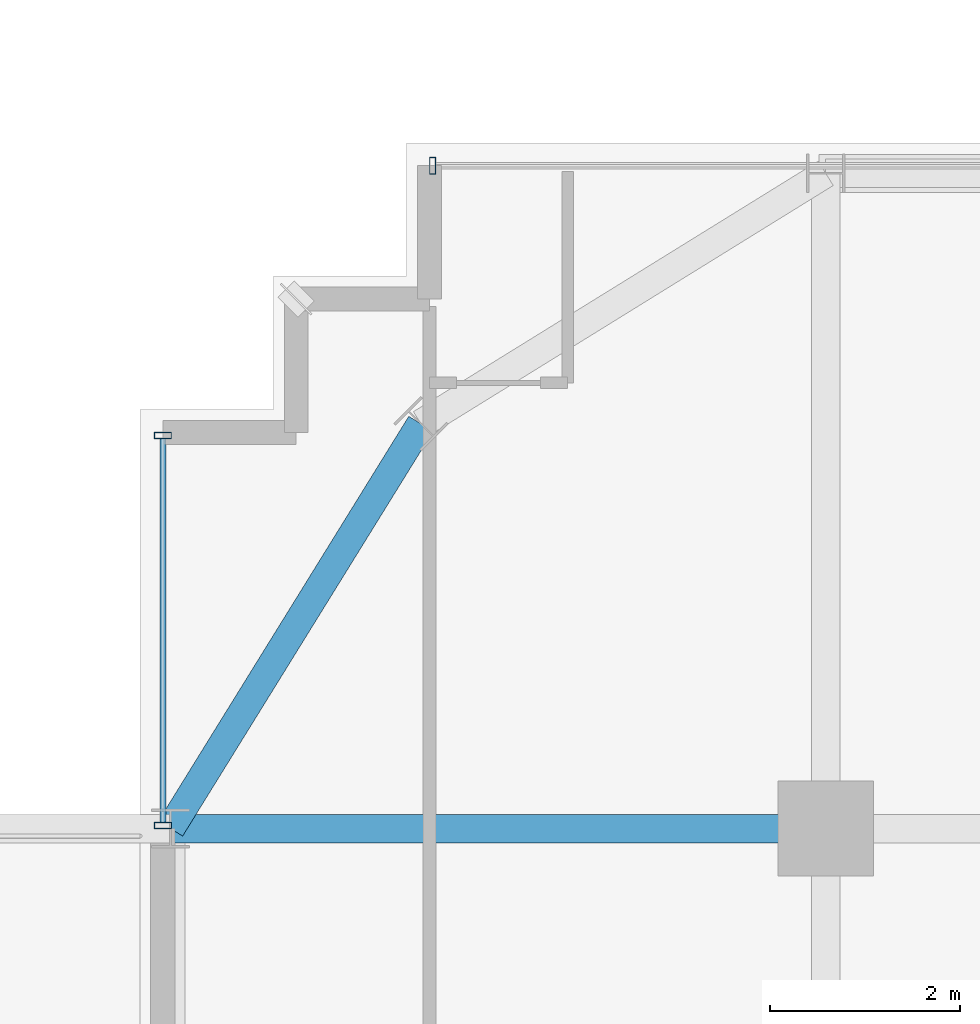
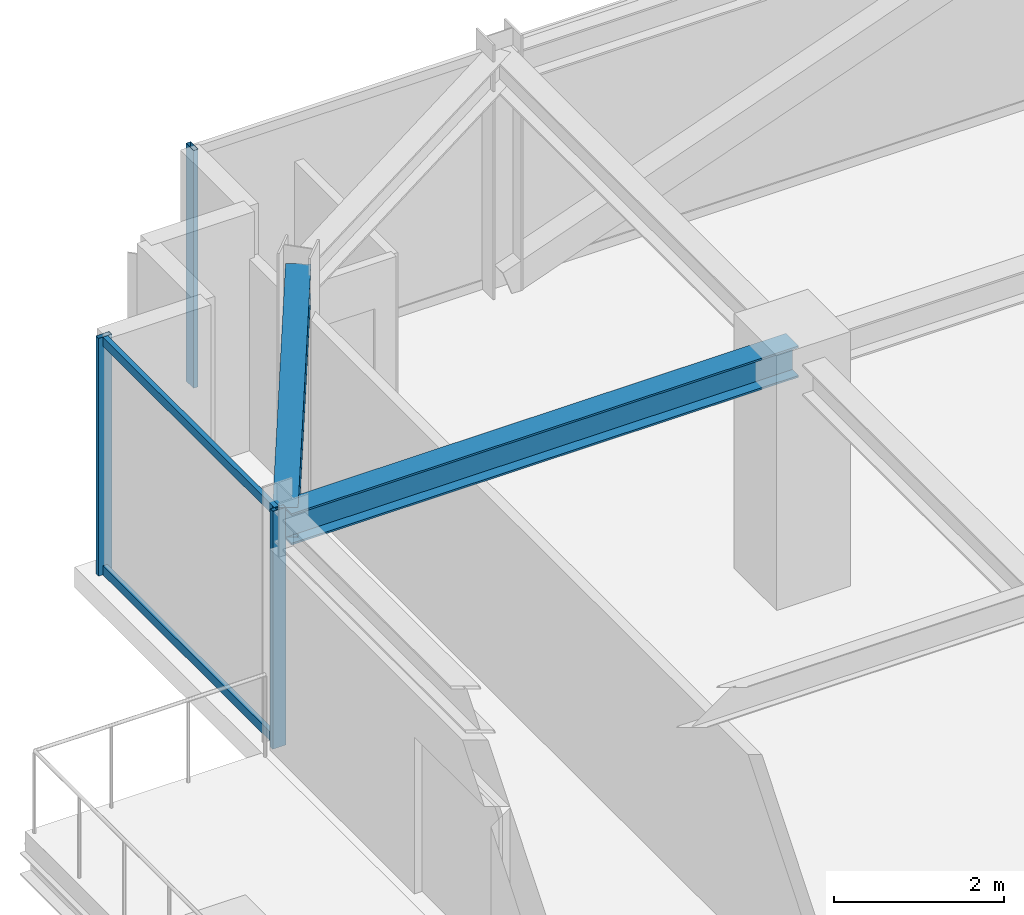
# One storey, part 20 of 41: 5 members, 2 beams, 2 elements without a shape of their own.
"""IFC4 building model written with IfcOpenShell, lengths in metres."""

from ifc_helpers import new_model, si_unit, direction, frame, origin, origin_2d, place, context, subcontext, project, spatial, hollow_rectangle, i_section, extrude, source, transform, mapped, material, material_profile, profile_set, type_object, element, aggregate, save


model = new_model("IFC4")

# Units and contexts
model_context = context("Model", 3, precision=1e-05, world=origin(), true_north=direction((0.0, 1.0)))
body_context = subcontext(model_context, "Body", "Model", "MODEL_VIEW")
ifc_project = project(units=[si_unit("LENGTHUNIT", "METRE"), si_unit("AREAUNIT", "SQUARE_METRE"), si_unit("VOLUMEUNIT", "CUBIC_METRE"), si_unit("PLANEANGLEUNIT", "RADIAN"), si_unit("MASSUNIT", "GRAM", prefix="KILO")], contexts=[model_context])

# Site, building, storey
site_placement = place(None, origin())
site = spatial("IfcSite", under=ifc_project, at=site_placement, CompositionType="ELEMENT")
building_placement = place(site_placement, origin())
building = spatial("IfcBuilding", under=site, at=building_placement, Name="Nahalor Promenade Grand Hotel", CompositionType="ELEMENT")
storey_placement = place(building_placement, frame((0.0, 0.0, 227.10009765625)))
storey = spatial("IfcBuildingStorey", under=building, at=storey_placement, Name="L58", CompositionType="ELEMENT", Elevation=227.10009765625)

# Beams
ifc_material_1 = material(Name="Steel S355JR", Category="steel")
ifc_material_profile_1 = material_profile(ifc_material_1, i_section(OverallWidth=0.3, OverallDepth=0.45, WebThickness=0.014, FlangeThickness=0.026, at=origin_2d()), Name="HEB 450")
ifc_profile_set_1 = profile_set([ifc_material_profile_1], Name="Steel S355JR")
beam_type_1 = type_object("IfcBeamType", Name="Beam-Spandrel-HEB450", PredefinedType="SPANDREL", material=ifc_profile_set_1)
shared_shape_1 = source(origin(), body_context, "Body", "SweptSolid", [
    extrude(i_section(OverallWidth=0.3, OverallDepth=0.45, WebThickness=0.014, FlangeThickness=0.026, at=origin_2d()), origin(), (0.0, 0.0, 1.0), 4.997802734375),
])
beam_1_placement = place(storey_placement, frame((-21.25, 21.25, 3.184814453125), z_axis=(-0.526199891161, -0.850360908404, 0.0), x_axis=(0.850360908404, -0.526199891161, 0.0)))
element("IfcBeam", 1, at=beam_1_placement, inside=storey, type_object=beam_type_1, Name="BM-L58-SPC-NW-2", PredefinedType="SPANDREL", context=body_context, shape_type="MappedRepresentation", body=[
    mapped(shared_shape_1, transform((0.0, 0.0, 0.0), scale=1.0)),
])
ifc_material_profile_2 = material_profile(ifc_material_1, i_section(OverallWidth=0.3, OverallDepth=0.45, WebThickness=0.014, FlangeThickness=0.026, at=origin_2d()), Name="HEB 450")
ifc_profile_set_2 = profile_set([ifc_material_profile_2], Name="Steel S355JR")
beam_type_2 = type_object("IfcBeamType", Name="Beam-Girder-HEB450", PredefinedType="BEAM", material=ifc_profile_set_2)
shared_shape_2 = source(origin(), body_context, "Body", "SweptSolid", [
    extrude(i_section(OverallWidth=0.3, OverallDepth=0.45, WebThickness=0.014, FlangeThickness=0.026, at=origin_2d()), origin(), (0.0, 0.0, 1.0), 6.8798828125),
])
beam_2_placement = place(storey_placement, frame((-23.8798828125, 17.0, 3.184814453125), z_axis=(1.0, 0.0, 0.0), x_axis=(0.0, 1.0, 0.0)))
element("IfcBeam", 2, at=beam_2_placement, inside=storey, type_object=beam_type_2, Name="BM-L58-GX-3-0", PredefinedType="BEAM", context=body_context, shape_type="MappedRepresentation", body=[
    mapped(shared_shape_2, transform((0.0, 0.0, 0.0), scale=1.0)),
])

# Curtain wall, members
ifc_material_2 = material(Name="Anodised Bronze Aluminium EN AW-6063 T6", Category="aluminium")
curtain_wall_type = type_object("IfcCurtainWallType", Name="CW2 Typical Hotel Flush Bronze Unitised Curtain Wall", PredefinedType="USERDEFINED", material=ifc_material_2)
curtain_wall_1_placement = place(storey_placement, origin())
curtain_wall_1 = element("IfcCurtainWall", 3, at=curtain_wall_1_placement, inside=storey, type_object=curtain_wall_type, Name="L58 Curtain Wall CW-L58-W-3", ObjectType="UNITISED_CURTAIN_WALL", PredefinedType="USERDEFINED")
ifc_material_profile_3 = material_profile(ifc_material_2, hollow_rectangle(XDim=0.065, YDim=0.13, WallThickness=0.004, at=origin_2d()), Name="CWT 65x130x4")
ifc_profile_set_3 = profile_set([ifc_material_profile_3], Name="Anodised Bronze Aluminium EN AW-6063 T6")
member_type_1 = type_object("IfcMemberType", Name="CWT2 Typical Bronze Transom 65x130", PredefinedType="USERDEFINED", material=ifc_profile_set_3)
shared_shape_3 = source(origin(), body_context, "Body", "SweptSolid", [
    extrude(hollow_rectangle(XDim=0.065, YDim=0.13, WallThickness=0.004, at=origin_2d()), origin(), (0.0, 0.0, 1.0), 4.030029296875),
])
member_1_placement = place(storey_placement, frame((-23.9599609375, 17.06494140625, 0.06494140625), z_axis=(0.0, 1.0, 0.0), x_axis=(-1.0, 0.0, 0.0)))
member_1 = element("IfcMember", 4, at=member_1_placement, type_object=member_type_1, Name="CW-L58-W-3 Transom 0-0", ObjectType="TRANSOM", PredefinedType="USERDEFINED", context=body_context, shape_type="MappedRepresentation", body=[
    mapped(shared_shape_3, transform((0.0, 0.0, 0.0), scale=1.0)),
])
member_2_placement = place(storey_placement, frame((-23.9599609375, 17.06494140625, 3.344970703125), z_axis=(0.0, 1.0, 0.0), x_axis=(-1.0, 0.0, 0.0)))
member_2 = element("IfcMember", 5, at=member_2_placement, type_object=member_type_1, Name="CW-L58-W-3 Transom 0-1", ObjectType="TRANSOM", PredefinedType="USERDEFINED", context=body_context, shape_type="MappedRepresentation", body=[
    mapped(shared_shape_3, transform((0.0, 0.0, 0.0), scale=1.0)),
])

# Curtain wall, member
curtain_wall_2_placement = place(storey_placement, origin())
curtain_wall_2 = element("IfcCurtainWall", 6, at=curtain_wall_2_placement, inside=storey, type_object=curtain_wall_type, Name="L58 Curtain Wall CW-L58-N-1", ObjectType="UNITISED_CURTAIN_WALL", PredefinedType="USERDEFINED")
ifc_material_profile_4 = material_profile(ifc_material_2, hollow_rectangle(XDim=0.065, YDim=0.18, WallThickness=0.004, at=origin_2d()), Name="CWM 65x180x4")
ifc_profile_set_4 = profile_set([ifc_material_profile_4], Name="Anodised Bronze Aluminium EN AW-6063 T6")
member_type_2 = type_object("IfcMemberType", Name="CWM2 Typical Bronze Mullion 65x180", PredefinedType="MULLION", material=ifc_profile_set_4)
shared_shape_4 = source(origin(), body_context, "Body", "SweptSolid", [
    extrude(hollow_rectangle(XDim=0.065, YDim=0.18, WallThickness=0.004, at=origin_2d()), origin(), (0.0, 0.0, 1.0), 3.409912109375),
])
member_3_placement = place(storey_placement, frame((-21.12744140625, 23.9599609375, 0.0), z_axis=(0.0, 0.0, 1.0), x_axis=(1.0, 0.0, 0.0)))
member_3 = element("IfcMember", 7, at=member_3_placement, type_object=member_type_2, Name="CW-L58-N-1 Mullion 0", PredefinedType="MULLION", context=body_context, shape_type="MappedRepresentation", body=[
    mapped(shared_shape_4, transform((0.0, 0.0, 0.0), scale=1.0)),
])
aggregate(curtain_wall_2, [member_3])

# Member
member_4_placement = place(storey_placement, frame((-23.9599609375, 17.032470703125, 0.0), z_axis=(0.0, 0.0, 1.0), x_axis=(0.0, 1.0, 0.0)))
member_4 = element("IfcMember", 8, at=member_4_placement, type_object=member_type_2, Name="CW-L58-W-3 Mullion 0", PredefinedType="MULLION", context=body_context, shape_type="MappedRepresentation", body=[
    mapped(shared_shape_4, transform((0.0, 0.0, 0.0), scale=1.0)),
])

member_5_placement = place(storey_placement, frame((-23.9599609375, 21.12744140625, 0.0), z_axis=(0.0, 0.0, 1.0), x_axis=(0.0, 1.0, 0.0)))
member_5 = element("IfcMember", 9, at=member_5_placement, type_object=member_type_2, Name="CW-L58-W-3 Mullion 1", PredefinedType="MULLION", context=body_context, shape_type="MappedRepresentation", body=[
    mapped(shared_shape_4, transform((0.0, 0.0, 0.0), scale=1.0)),
])

aggregate(curtain_wall_1, [member_4, member_5, member_1, member_2])

save(model, "model.ifc")
